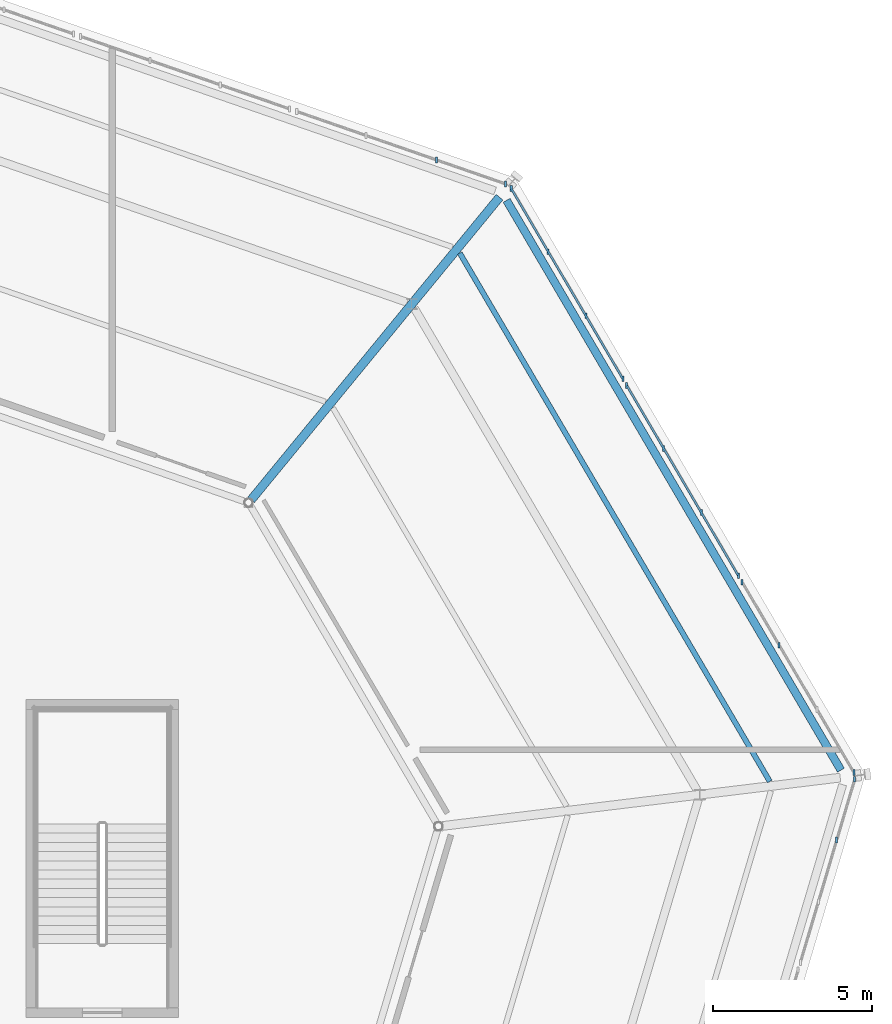
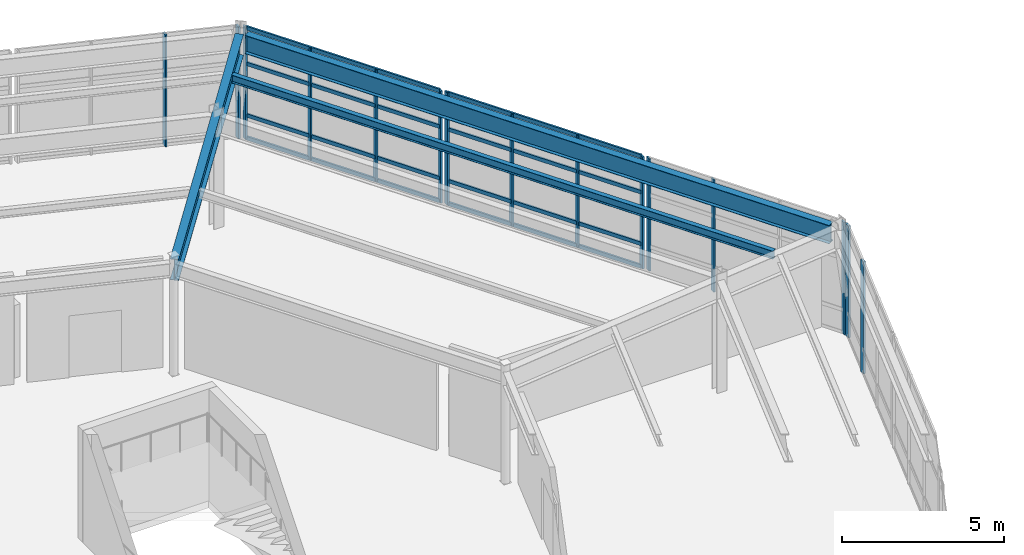
# One storey, part 36 of 69: 23 members, 3 beams, 5 elements without a shape of their own.
"""IFC4 building model written with IfcOpenShell, lengths in metres."""

from ifc_helpers import new_model, si_unit, direction, frame, origin, origin_2d, place, context, subcontext, project, spatial, rectangle, i_section, extrude, material, material_profile, profile_set, type_object, element, aggregate, save


model = new_model("IFC4")

# Units and contexts
model_context = context("Model", 3, precision=1e-05, world=origin(), true_north=direction((0.0, 1.0)))
body_context = subcontext(model_context, "Body", "Model", "MODEL_VIEW")
ifc_project = project(units=[si_unit("LENGTHUNIT", "METRE"), si_unit("AREAUNIT", "SQUARE_METRE"), si_unit("VOLUMEUNIT", "CUBIC_METRE"), si_unit("PLANEANGLEUNIT", "RADIAN"), si_unit("MASSUNIT", "GRAM", prefix="KILO")], contexts=[model_context])

# Site, building, storey
site_placement = place(None, origin())
site = spatial("IfcSite", under=ifc_project, at=site_placement, CompositionType="ELEMENT")
building_placement = place(site_placement, origin())
building = spatial("IfcBuilding", under=site, at=building_placement, Name="Sarnbrook Museum", CompositionType="ELEMENT")
storey_placement = place(building_placement, frame((0.0, 0.0, 14.60009765625)))
storey = spatial("IfcBuildingStorey", under=building, at=storey_placement, Name="L03", CompositionType="ELEMENT", Elevation=14.60009765625)

# Beams
ifc_material_1 = material(Name="Structural Steel Grade 350L0 (AS/NZS 3678, fy = 340 MPa for 20 < t <= 40 mm)", Category="steel")
ifc_material_profile_1 = material_profile(ifc_material_1, i_section(OverallWidth=0.25, OverallDepth=0.699951171875, WebThickness=0.010009765625, FlangeThickness=0.01611328125, at=origin_2d()), Name="700WB130")
ifc_profile_set_1 = profile_set([ifc_material_profile_1], Name="Structural Steel Grade 350L0 (AS/NZS 3678, fy = 340 MPa for 20 < t <= 40 mm)")
beam_type_1 = type_object("IfcBeamType", Name="BM-WB700", PredefinedType="BEAM", material=ifc_profile_set_1)
beam_1_placement = place(storey_placement, frame((167.050048828125, 87.981689453125, 3.889892578125), z_axis=(-0.506058973624, 0.862498878384, 0.0), x_axis=(-0.862498878384, -0.506058973624, 0.0)))
element("IfcBeam", 1, at=beam_1_placement, inside=storey, type_object=beam_type_1, Name="Crystal Hall Perimeter Ring Girder 4 L03", PredefinedType="BEAM", context=body_context, shape_type="SweptSolid", body=[
    extrude(i_section(OverallWidth=0.25, OverallDepth=0.699951171875, WebThickness=0.010009765625, FlangeThickness=0.01611328125, at=origin_2d()), origin(), (0.0, 0.0, 1.0), 20.79833984375),
])
ifc_material_profile_2 = material_profile(ifc_material_1, i_section(OverallWidth=0.27490234375, OverallDepth=0.800048828125, WebThickness=0.010009765625, FlangeThickness=0.01611328125, at=origin_2d()), Name="800WB146")
ifc_profile_set_2 = profile_set([ifc_material_profile_2], Name="Structural Steel Grade 350L0 (AS/NZS 3678, fy = 340 MPa for 20 < t <= 40 mm)")
beam_type_2 = type_object("IfcBeamType", Name="CR-CANT", PredefinedType="BEAM", material=ifc_profile_set_2)
beam_2_placement = place(storey_placement, frame((148.481689453125, 96.48876953125, 3.83984375), z_axis=(0.634375780449, 0.773024817959, 0.0), x_axis=(-0.773024817959, 0.634375780449, 0.0)))
element("IfcBeam", 2, at=beam_2_placement, inside=storey, type_object=beam_type_2, Name="Crystal Hall Radial Cantilever Girder 5 L03", PredefinedType="BEAM", context=body_context, shape_type="SweptSolid", body=[
    extrude(i_section(OverallWidth=0.27490234375, OverallDepth=0.800048828125, WebThickness=0.010009765625, FlangeThickness=0.01611328125, at=origin_2d()), origin(), (0.0, 0.0, 1.0), 12.32958984375),
])

# Curtain wall, members
ifc_material_2 = material(Name="Thermally Broken Anodised Aluminium 6063-T6", Category="aluminium")
curtain_wall_type = type_object("IfcCurtainWallType", Name="CurtainWall_CrystalFacet", PredefinedType="NOTDEFINED", material=ifc_material_2)
curtain_wall_1_placement = place(storey_placement, origin())
curtain_wall_1 = element("IfcCurtainWall", 3, at=curtain_wall_1_placement, inside=storey, type_object=curtain_wall_type, Name="Crystal Hall Facet Curtain Wall L03-F3.3", PredefinedType="NOTDEFINED")
ifc_material_profile_3 = material_profile(ifc_material_2, rectangle(XDim=0.06494140625, YDim=0.179931640625, at=origin_2d()), Name="ALU MULLION 65x180")
ifc_profile_set_3 = profile_set([ifc_material_profile_3], Name="Thermally Broken Anodised Aluminium 6063-T6")
member_type_1 = type_object("IfcMemberType", Name="CW_Mullion_180x75", PredefinedType="MULLION", material=ifc_profile_set_3)
member_1_placement = place(storey_placement, frame((166.9150390625, 85.7841796875, 0.0), z_axis=(0.0, 0.0, 1.0), x_axis=(1.0, 0.0, 0.0)))
member_1 = element("IfcMember", 4, at=member_1_placement, type_object=member_type_1, Name="Crystal Hall Facet Curtain Wall L03-F3.3 Mullion 3", PredefinedType="MULLION", context=body_context, shape_type="SweptSolid", body=[
    extrude(rectangle(XDim=0.06494140625, YDim=0.179931640625, at=origin_2d()), origin(), (0.0, 0.0, 1.0), 4.239990234375),
])
member_2_placement = place(storey_placement, frame((167.4814453125, 87.6923828125, 0.0), z_axis=(0.0, 0.0, 1.0), x_axis=(1.0, 0.0, 0.0)))
member_2 = element("IfcMember", 5, at=member_2_placement, type_object=member_type_1, Name="Crystal Hall Facet Curtain Wall L03-F3.3 Mullion 4", PredefinedType="MULLION", context=body_context, shape_type="SweptSolid", body=[
    extrude(rectangle(XDim=0.06494140625, YDim=0.179931640625, at=origin_2d()), origin(), (0.0, 0.0, 1.0), 4.239990234375),
])
aggregate(curtain_wall_1, [member_1, member_2])

curtain_wall_2_placement = place(storey_placement, origin())
curtain_wall_2 = element("IfcCurtainWall", 6, at=curtain_wall_2_placement, inside=storey, type_object=curtain_wall_type, Name="Crystal Hall Facet Curtain Wall L03-F4.1", PredefinedType="NOTDEFINED")
member_3_placement = place(storey_placement, frame((167.455078125, 87.910888671875, 0.0), z_axis=(0.0, 0.0, 1.0), x_axis=(1.0, 0.0, 0.0)))
member_3 = element("IfcMember", 7, at=member_3_placement, type_object=member_type_1, Name="Crystal Hall Facet Curtain Wall L03-F4.1 Mullion 1", PredefinedType="MULLION", context=body_context, shape_type="SweptSolid", body=[
    extrude(rectangle(XDim=0.06494140625, YDim=0.179931640625, at=origin_2d()), origin(), (0.0, 0.0, 1.0), 4.239990234375),
])
member_4_placement = place(storey_placement, frame((165.105712890625, 91.914794921875, 0.0), z_axis=(0.0, 0.0, 1.0), x_axis=(1.0, 0.0, 0.0)))
member_4 = element("IfcMember", 8, at=member_4_placement, type_object=member_type_1, Name="Crystal Hall Facet Curtain Wall L03-F4.1 Mullion 3", PredefinedType="MULLION", context=body_context, shape_type="SweptSolid", body=[
    extrude(rectangle(XDim=0.06494140625, YDim=0.179931640625, at=origin_2d()), origin(), (0.0, 0.0, 1.0), 4.239990234375),
])
member_5_placement = place(storey_placement, frame((163.94140625, 93.8994140625, 0.0), z_axis=(0.0, 0.0, 1.0), x_axis=(1.0, 0.0, 0.0)))
member_5 = element("IfcMember", 9, at=member_5_placement, type_object=member_type_1, Name="Crystal Hall Facet Curtain Wall L03-F4.1 Mullion 4", PredefinedType="MULLION", context=body_context, shape_type="SweptSolid", body=[
    extrude(rectangle(XDim=0.06494140625, YDim=0.179931640625, at=origin_2d()), origin(), (0.0, 0.0, 1.0), 4.239990234375),
])
aggregate(curtain_wall_2, [member_3, member_4, member_5])

curtain_wall_3_placement = place(storey_placement, origin())
curtain_wall_3 = element("IfcCurtainWall", 10, at=curtain_wall_3_placement, inside=storey, type_object=curtain_wall_type, Name="Crystal Hall Facet Curtain Wall L03-F4.2", PredefinedType="NOTDEFINED")
member_6_placement = place(storey_placement, frame((163.81982421875, 94.106201171875, 0.0), z_axis=(0.0, 0.0, 1.0), x_axis=(1.0, 0.0, 0.0)))
member_6 = element("IfcMember", 11, at=member_6_placement, type_object=member_type_1, Name="Crystal Hall Facet Curtain Wall L03-F4.2 Mullion 1", PredefinedType="MULLION", context=body_context, shape_type="SweptSolid", body=[
    extrude(rectangle(XDim=0.06494140625, YDim=0.179931640625, at=origin_2d()), origin(), (0.0, 0.0, 1.0), 4.239990234375),
])
member_7_placement = place(storey_placement, frame((162.655517578125, 96.091064453125, 0.0), z_axis=(0.0, 0.0, 1.0), x_axis=(1.0, 0.0, 0.0)))
member_7 = element("IfcMember", 12, at=member_7_placement, type_object=member_type_1, Name="Crystal Hall Facet Curtain Wall L03-F4.2 Mullion 2", PredefinedType="MULLION", context=body_context, shape_type="SweptSolid", body=[
    extrude(rectangle(XDim=0.06494140625, YDim=0.179931640625, at=origin_2d()), origin(), (0.0, 0.0, 1.0), 4.239990234375),
])
member_8_placement = place(storey_placement, frame((161.470703125, 98.110107421875, 0.0), z_axis=(0.0, 0.0, 1.0), x_axis=(1.0, 0.0, 0.0)))
member_8 = element("IfcMember", 13, at=member_8_placement, type_object=member_type_1, Name="Crystal Hall Facet Curtain Wall L03-F4.2 Mullion 3", PredefinedType="MULLION", context=body_context, shape_type="SweptSolid", body=[
    extrude(rectangle(XDim=0.06494140625, YDim=0.179931640625, at=origin_2d()), origin(), (0.0, 0.0, 1.0), 4.239990234375),
])
member_9_placement = place(storey_placement, frame((160.30615234375, 100.094970703125, 0.0), z_axis=(0.0, 0.0, 1.0), x_axis=(1.0, 0.0, 0.0)))
member_9 = element("IfcMember", 14, at=member_9_placement, type_object=member_type_1, Name="Crystal Hall Facet Curtain Wall L03-F4.2 Mullion 4", PredefinedType="MULLION", context=body_context, shape_type="SweptSolid", body=[
    extrude(rectangle(XDim=0.06494140625, YDim=0.179931640625, at=origin_2d()), origin(), (0.0, 0.0, 1.0), 4.239990234375),
])

curtain_wall_4_placement = place(storey_placement, origin())
curtain_wall_4 = element("IfcCurtainWall", 15, at=curtain_wall_4_placement, inside=storey, type_object=curtain_wall_type, Name="Crystal Hall Facet Curtain Wall L03-F4.3", PredefinedType="NOTDEFINED")
member_10_placement = place(storey_placement, frame((160.184814453125, 100.302001953125, 0.0), z_axis=(0.0, 0.0, 1.0), x_axis=(1.0, 0.0, 0.0)))
member_10 = element("IfcMember", 16, at=member_10_placement, type_object=member_type_1, Name="Crystal Hall Facet Curtain Wall L03-F4.3 Mullion 1", PredefinedType="MULLION", context=body_context, shape_type="SweptSolid", body=[
    extrude(rectangle(XDim=0.06494140625, YDim=0.179931640625, at=origin_2d()), origin(), (0.0, 0.0, 1.0), 4.239990234375),
])
member_11_placement = place(storey_placement, frame((159.020263671875, 102.28662109375, 0.0), z_axis=(0.0, 0.0, 1.0), x_axis=(1.0, 0.0, 0.0)))
member_11 = element("IfcMember", 17, at=member_11_placement, type_object=member_type_1, Name="Crystal Hall Facet Curtain Wall L03-F4.3 Mullion 2", PredefinedType="MULLION", context=body_context, shape_type="SweptSolid", body=[
    extrude(rectangle(XDim=0.06494140625, YDim=0.179931640625, at=origin_2d()), origin(), (0.0, 0.0, 1.0), 4.239990234375),
])
member_12_placement = place(storey_placement, frame((157.83544921875, 104.3056640625, 0.0), z_axis=(0.0, 0.0, 1.0), x_axis=(1.0, 0.0, 0.0)))
member_12 = element("IfcMember", 18, at=member_12_placement, type_object=member_type_1, Name="Crystal Hall Facet Curtain Wall L03-F4.3 Mullion 3", PredefinedType="MULLION", context=body_context, shape_type="SweptSolid", body=[
    extrude(rectangle(XDim=0.06494140625, YDim=0.179931640625, at=origin_2d()), origin(), (0.0, 0.0, 1.0), 4.239990234375),
])
member_13_placement = place(storey_placement, frame((156.6708984375, 106.290283203125, 0.0), z_axis=(0.0, 0.0, 1.0), x_axis=(1.0, 0.0, 0.0)))
member_13 = element("IfcMember", 19, at=member_13_placement, type_object=member_type_1, Name="Crystal Hall Facet Curtain Wall L03-F4.3 Mullion 4", PredefinedType="MULLION", context=body_context, shape_type="SweptSolid", body=[
    extrude(rectangle(XDim=0.06494140625, YDim=0.179931640625, at=origin_2d()), origin(), (0.0, 0.0, 1.0), 4.239990234375),
])

curtain_wall_5_placement = place(storey_placement, origin())
curtain_wall_5 = element("IfcCurtainWall", 20, at=curtain_wall_5_placement, inside=storey, type_object=curtain_wall_type, Name="Crystal Hall Facet Curtain Wall L03-F5.1", PredefinedType="NOTDEFINED")
member_14_placement = place(storey_placement, frame((156.496826171875, 106.433349609375, 0.0), z_axis=(0.0, 0.0, 1.0), x_axis=(1.0, 0.0, 0.0)))
member_14 = element("IfcMember", 21, at=member_14_placement, type_object=member_type_1, Name="Crystal Hall Facet Curtain Wall L03-F5.1 Mullion 1", PredefinedType="MULLION", context=body_context, shape_type="SweptSolid", body=[
    extrude(rectangle(XDim=0.06494140625, YDim=0.179931640625, at=origin_2d()), origin(), (0.0, 0.0, 1.0), 4.239990234375),
])
member_15_placement = place(storey_placement, frame((154.31689453125, 107.190185546875, 0.0), z_axis=(0.0, 0.0, 1.0), x_axis=(1.0, 0.0, 0.0)))
member_15 = element("IfcMember", 22, at=member_15_placement, type_object=member_type_1, Name="Crystal Hall Facet Curtain Wall L03-F5.1 Mullion 2", PredefinedType="MULLION", context=body_context, shape_type="SweptSolid", body=[
    extrude(rectangle(XDim=0.06494140625, YDim=0.179931640625, at=origin_2d()), origin(), (0.0, 0.0, 1.0), 4.239990234375),
])
aggregate(curtain_wall_5, [member_14, member_15])

# Member
ifc_material_profile_4 = material_profile(ifc_material_2, rectangle(XDim=0.06494140625, YDim=0.139892578125, at=origin_2d()), Name="ALU TRANSOM 65x140")
ifc_profile_set_4 = profile_set([ifc_material_profile_4], Name="Thermally Broken Anodised Aluminium 6063-T6")
member_type_2 = type_object("IfcMemberType", Name="CW_Transom_150x65", PredefinedType="USERDEFINED", material=ifc_profile_set_4)
member_16_placement = place(storey_placement, frame((163.814697265625, 94.114990234375, 0.039794921875), z_axis=(-0.506048891604, 0.862504793787, 0.0), x_axis=(-0.862504793787, -0.506048891604, 0.0)))
member_16 = element("IfcMember", 23, at=member_16_placement, type_object=member_type_2, Name="Crystal Hall Facet Curtain Wall L03-F4.2 Transom 1", ObjectType="TRANSOM", PredefinedType="USERDEFINED", context=body_context, shape_type="SweptSolid", body=[
    extrude(rectangle(XDim=0.06494140625, YDim=0.139892578125, at=origin_2d()), origin(), (0.0, 0.0, 1.0), 6.923095703125),
])

member_17_placement = place(storey_placement, frame((163.814697265625, 94.114990234375, 0.89990234375), z_axis=(-0.506048891604, 0.862504793787, 0.0), x_axis=(-0.862504793787, -0.506048891604, 0.0)))
member_17 = element("IfcMember", 24, at=member_17_placement, type_object=member_type_2, Name="Crystal Hall Facet Curtain Wall L03-F4.2 Transom 2", ObjectType="TRANSOM", PredefinedType="USERDEFINED", context=body_context, shape_type="SweptSolid", body=[
    extrude(rectangle(XDim=0.06494140625, YDim=0.139892578125, at=origin_2d()), origin(), (0.0, 0.0, 1.0), 6.923095703125),
])

member_18_placement = place(storey_placement, frame((163.814697265625, 94.114990234375, 2.849853515625), z_axis=(-0.506048891604, 0.862504793787, 0.0), x_axis=(-0.862504793787, -0.506048891604, 0.0)))
member_18 = element("IfcMember", 25, at=member_18_placement, type_object=member_type_2, Name="Crystal Hall Facet Curtain Wall L03-F4.2 Transom 3", ObjectType="TRANSOM", PredefinedType="USERDEFINED", context=body_context, shape_type="SweptSolid", body=[
    extrude(rectangle(XDim=0.06494140625, YDim=0.139892578125, at=origin_2d()), origin(), (0.0, 0.0, 1.0), 6.923095703125),
])

member_19_placement = place(storey_placement, frame((163.814697265625, 94.114990234375, 4.199951171875), z_axis=(-0.506048891604, 0.862504793787, 0.0), x_axis=(-0.862504793787, -0.506048891604, 0.0)))
member_19 = element("IfcMember", 26, at=member_19_placement, type_object=member_type_2, Name="Crystal Hall Facet Curtain Wall L03-F4.2 Transom 4", ObjectType="TRANSOM", PredefinedType="USERDEFINED", context=body_context, shape_type="SweptSolid", body=[
    extrude(rectangle(XDim=0.06494140625, YDim=0.139892578125, at=origin_2d()), origin(), (0.0, 0.0, 1.0), 6.923095703125),
])

aggregate(curtain_wall_3, [member_6, member_7, member_8, member_9, member_16, member_17, member_18, member_19])

member_20_placement = place(storey_placement, frame((160.1796875, 100.310546875, 0.039794921875), z_axis=(-0.506075124847, 0.86248940168, 0.0), x_axis=(-0.86248940168, -0.506075124847, 0.0)))
member_20 = element("IfcMember", 27, at=member_20_placement, type_object=member_type_2, Name="Crystal Hall Facet Curtain Wall L03-F4.3 Transom 1", ObjectType="TRANSOM", PredefinedType="USERDEFINED", context=body_context, shape_type="SweptSolid", body=[
    extrude(rectangle(XDim=0.06494140625, YDim=0.139892578125, at=origin_2d()), origin(), (0.0, 0.0, 1.0), 6.923095703125),
])

member_21_placement = place(storey_placement, frame((160.1796875, 100.310546875, 0.89990234375), z_axis=(-0.506075124847, 0.86248940168, 0.0), x_axis=(-0.86248940168, -0.506075124847, 0.0)))
member_21 = element("IfcMember", 28, at=member_21_placement, type_object=member_type_2, Name="Crystal Hall Facet Curtain Wall L03-F4.3 Transom 2", ObjectType="TRANSOM", PredefinedType="USERDEFINED", context=body_context, shape_type="SweptSolid", body=[
    extrude(rectangle(XDim=0.06494140625, YDim=0.139892578125, at=origin_2d()), origin(), (0.0, 0.0, 1.0), 6.923095703125),
])

member_22_placement = place(storey_placement, frame((160.1796875, 100.310546875, 2.849853515625), z_axis=(-0.506075124847, 0.86248940168, 0.0), x_axis=(-0.86248940168, -0.506075124847, 0.0)))
member_22 = element("IfcMember", 29, at=member_22_placement, type_object=member_type_2, Name="Crystal Hall Facet Curtain Wall L03-F4.3 Transom 3", ObjectType="TRANSOM", PredefinedType="USERDEFINED", context=body_context, shape_type="SweptSolid", body=[
    extrude(rectangle(XDim=0.06494140625, YDim=0.139892578125, at=origin_2d()), origin(), (0.0, 0.0, 1.0), 6.923095703125),
])

member_23_placement = place(storey_placement, frame((160.1796875, 100.310546875, 4.199951171875), z_axis=(-0.506075124847, 0.86248940168, 0.0), x_axis=(-0.86248940168, -0.506075124847, 0.0)))
member_23 = element("IfcMember", 30, at=member_23_placement, type_object=member_type_2, Name="Crystal Hall Facet Curtain Wall L03-F4.3 Transom 4", ObjectType="TRANSOM", PredefinedType="USERDEFINED", context=body_context, shape_type="SweptSolid", body=[
    extrude(rectangle(XDim=0.06494140625, YDim=0.139892578125, at=origin_2d()), origin(), (0.0, 0.0, 1.0), 6.923095703125),
])

aggregate(curtain_wall_4, [member_10, member_11, member_12, member_13, member_20, member_21, member_22, member_23])

# Beam
ifc_material_3 = material(Name="Structural Steel Grade 300PLUS (AS/NZS 3679.1, fy = 280 MPa for 17 < t <= 40 mm, 300 MPa for t <= 17 mm)", Category="steel")
ifc_material_profile_5 = material_profile(ifc_material_3, i_section(OverallWidth=0.1650390625, OverallDepth=0.303955078125, WebThickness=0.006103515625, FlangeThickness=0.01025390625, FilletRadius=0.011474609375, at=origin_2d()), Name="310UB40.4")
ifc_profile_set_5 = profile_set([ifc_material_profile_5], Name="Structural Steel Grade 300PLUS (AS/NZS 3679.1, fy = 280 MPa for 17 < t <= 40 mm, 300 MPa for t <= 17 mm)")
beam_type_3 = type_object("IfcBeamType", Name="JS-UB310", PredefinedType="JOIST", material=ifc_profile_set_5)
beam_3_placement = place(storey_placement, frame((164.810791015625, 87.626220703125, 4.087890625), z_axis=(-0.506064843894, 0.86249543406, 0.0), x_axis=(-0.86249543406, -0.506064843894, 0.0)))
element("IfcBeam", 31, at=beam_3_placement, inside=storey, type_object=beam_type_3, Name="Crystal Hall Tangential Joist MO-4 L03", PredefinedType="JOIST", context=body_context, shape_type="SweptSolid", body=[
    extrude(i_section(OverallWidth=0.1650390625, OverallDepth=0.303955078125, WebThickness=0.006103515625, FlangeThickness=0.01025390625, FilletRadius=0.011474609375, at=origin_2d()), origin(), (0.0, 0.0, 1.0), 19.28369140625),
])

save(model, "model.ifc")
